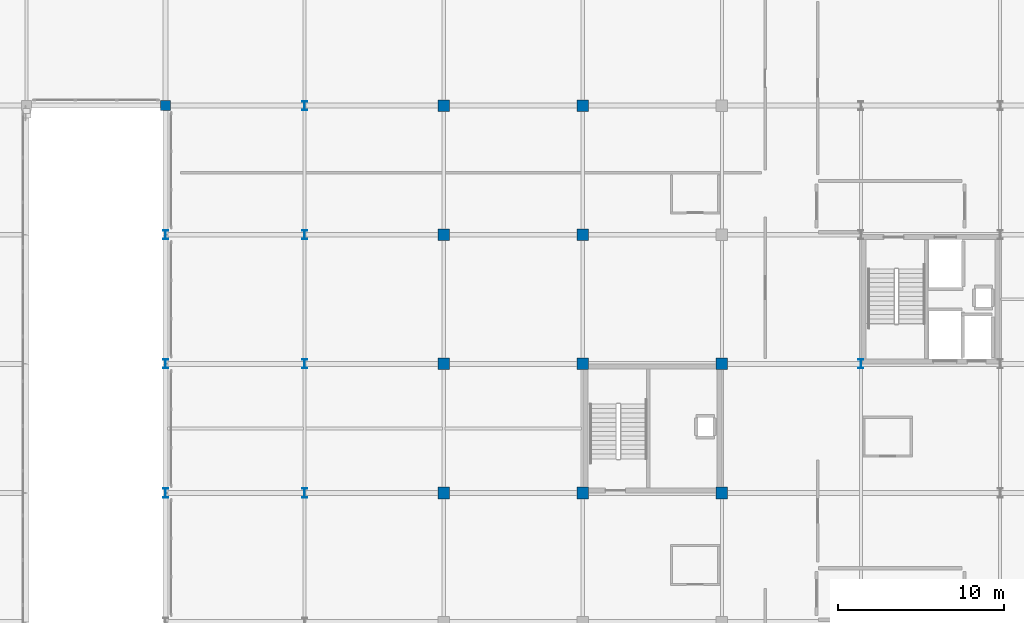
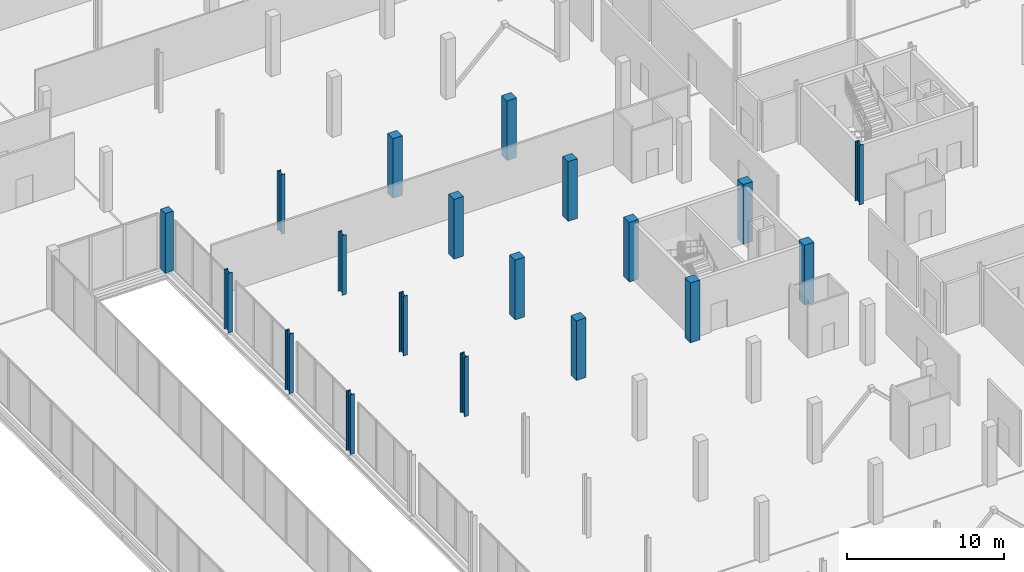
# One storey, part 16 of 98: 19 columns.
"""IFC4 building model written with IfcOpenShell, lengths in metres."""

from ifc_helpers import new_model, si_unit, direction, frame, origin, origin_2d, place, context, subcontext, project, spatial, rectangle, i_section, extrude, material, material_profile, profile_set, type_object, element, save


model = new_model("IFC4")

# Units and contexts
model_context = context("Model", 3, precision=1e-05, world=origin(), true_north=direction((0.0, 1.0)))
body_context = subcontext(model_context, "Body", "Model", "MODEL_VIEW")
ifc_project = project(units=[si_unit("LENGTHUNIT", "METRE"), si_unit("AREAUNIT", "SQUARE_METRE"), si_unit("VOLUMEUNIT", "CUBIC_METRE"), si_unit("PLANEANGLEUNIT", "RADIAN"), si_unit("MASSUNIT", "GRAM", prefix="KILO")], contexts=[model_context])

# Site, building, storey
site_placement = place(None, origin())
site = spatial("IfcSite", under=ifc_project, at=site_placement, CompositionType="ELEMENT")
building_placement = place(site_placement, origin())
building = spatial("IfcBuilding", under=site, at=building_placement, Name="Nabrawat Pavilion Hospital", CompositionType="ELEMENT")
storey_placement = place(building_placement, frame((0.0, 0.0, 10.199951171875)))
storey = spatial("IfcBuildingStorey", under=building, at=storey_placement, Name="L02", CompositionType="ELEMENT", Elevation=10.199951171875)

# Columns
ifc_material_1 = material(Name="Steel S355", Category="steel")
ifc_material_profile_1 = material_profile(ifc_material_1, i_section(OverallWidth=0.300048828125, OverallDepth=0.550048828125, WebThickness=0.014892578125, FlangeThickness=0.029052734375, FilletRadius=0.027099609375, at=origin_2d()), Name="HEB 550")
ifc_profile_set_1 = profile_set([ifc_material_profile_1], Name="Steel S355")
column_type_1 = type_object("IfcColumnType", Name="Composite Steel Column HEB 550", PredefinedType="COLUMN", material=ifc_profile_set_1)
for number, where, z_axis, x_axis, name in (
    (1, (126.0, 62.39990234375, 0.0), (0.0, 0.0, 1.0), (1.0, 0.0, 0.0), "L02 Structural Column G-16A-J"),
    (2, (126.0, 70.199951171875, 0.0), (0.0, 0.0, 1.0), (1.0, 0.0, 0.0), "L02 Structural Column G-16A-K"),
    (3, (126.0, 78.0, 0.0), (0.0, 0.0, 1.0), (1.0, 0.0, 0.0), "L02 Structural Column G-16A-L"),
    (4, (134.39990234375, 62.39990234375, 0.0), (0.0, 0.0, 1.0), (1.0, 0.0, 0.0), "L02 Structural Column G-17-J"),
    (5, (134.39990234375, 70.199951171875, 0.0), (0.0, 0.0, 1.0), (1.0, 0.0, 0.0), "L02 Structural Column G-17-K"),
    (6, (134.39990234375, 78.0, 0.0), (0.0, 0.0, 1.0), (1.0, 0.0, 0.0), "L02 Structural Column G-17-L"),
    (7, (134.39990234375, 85.800048828125, 0.0), (0.0, 0.0, 1.0), (1.0, 0.0, 0.0), "L02 Structural Column G-17-M1"),
    (8, (168.0, 70.199951171875, 0.0), (0.0, 0.0, 1.0), (1.0, 0.0, 0.0), "L02 Structural Column G-21-K"),
):
    element("IfcColumn", number, at=place(storey_placement, frame(where, z_axis=z_axis, x_axis=x_axis)), inside=storey, type_object=column_type_1, Name=name, PredefinedType="COLUMN", context=body_context, shape_type="SweptSolid", body=[
        extrude(i_section(OverallWidth=0.300048828125, OverallDepth=0.550048828125, WebThickness=0.014892578125, FlangeThickness=0.029052734375, FilletRadius=0.027099609375, at=origin_2d()), origin(), (0.0, 0.0, 1.0), 4.650146484375),
    ])
ifc_material_2 = material(Name="Concrete C40/50", Category="concrete")
ifc_material_profile_2 = material_profile(ifc_material_2, rectangle(XDim=0.699951171875, YDim=0.699951171875, at=origin_2d()), Name="RC 700x700")
ifc_profile_set_2 = profile_set([ifc_material_profile_2], Name="Concrete C40/50")
column_type_2 = type_object("IfcColumnType", Name="Mid-Tier Ward RC Column 700x700", PredefinedType="COLUMN", material=ifc_profile_set_2)
for number, where, z_axis, x_axis, name in (
    (9, (142.800048828125, 62.39990234375, 0.0), (0.0, 0.0, 1.0), (1.0, 0.0, 0.0), "L02 Structural Column G-18-J"),
    (10, (142.800048828125, 70.199951171875, 0.0), (0.0, 0.0, 1.0), (1.0, 0.0, 0.0), "L02 Structural Column G-18-K"),
    (11, (142.800048828125, 78.0, 0.0), (0.0, 0.0, 1.0), (1.0, 0.0, 0.0), "L02 Structural Column G-18-L"),
    (12, (142.800048828125, 85.800048828125, 0.0), (0.0, 0.0, 1.0), (1.0, 0.0, 0.0), "L02 Structural Column G-18-M1"),
    (13, (151.199951171875, 62.39990234375, 0.0), (0.0, 0.0, 1.0), (1.0, 0.0, 0.0), "L02 Structural Column G-19-J"),
    (14, (151.199951171875, 70.199951171875, 0.0), (0.0, 0.0, 1.0), (1.0, 0.0, 0.0), "L02 Structural Column G-19-K"),
    (15, (151.199951171875, 78.0, 0.0), (0.0, 0.0, 1.0), (1.0, 0.0, 0.0), "L02 Structural Column G-19-L"),
    (16, (151.199951171875, 85.800048828125, 0.0), (0.0, 0.0, 1.0), (1.0, 0.0, 0.0), "L02 Structural Column G-19-M1"),
    (17, (159.60009765625, 62.39990234375, 0.0), (0.0, 0.0, 1.0), (1.0, 0.0, 0.0), "L02 Structural Column G-20-J"),
    (18, (159.60009765625, 70.199951171875, 0.0), (0.0, 0.0, 1.0), (1.0, 0.0, 0.0), "L02 Structural Column G-20-K"),
):
    element("IfcColumn", number, at=place(storey_placement, frame(where, z_axis=z_axis, x_axis=x_axis)), inside=storey, type_object=column_type_2, Name=name, PredefinedType="COLUMN", context=body_context, shape_type="SweptSolid", body=[
        extrude(rectangle(XDim=0.699951171875, YDim=0.699951171875, at=origin_2d()), origin(), (0.0, 0.0, 1.0), 4.650146484375),
    ])
ifc_material_profile_3 = material_profile(ifc_material_2, rectangle(XDim=0.60009765625, YDim=0.60009765625, at=origin_2d()), Name="RC 600x600")
ifc_profile_set_3 = profile_set([ifc_material_profile_3], Name="Concrete C40/50")
column_type_3 = type_object("IfcColumnType", Name="Upper Ward RC Column 600x600", PredefinedType="COLUMN", material=ifc_profile_set_3)
column_placement = place(storey_placement, frame((126.0, 85.800048828125, 0.0), z_axis=(0.0, 0.0, 1.0), x_axis=(1.0, 0.0, 0.0)))
element("IfcColumn", 19, at=column_placement, inside=storey, type_object=column_type_3, Name="L02 Structural Column G-16A-M1", PredefinedType="COLUMN", context=body_context, shape_type="SweptSolid", body=[
    extrude(rectangle(XDim=0.60009765625, YDim=0.60009765625, at=origin_2d()), origin(), (0.0, 0.0, 1.0), 4.650146484375),
])

save(model, "model.ifc")
